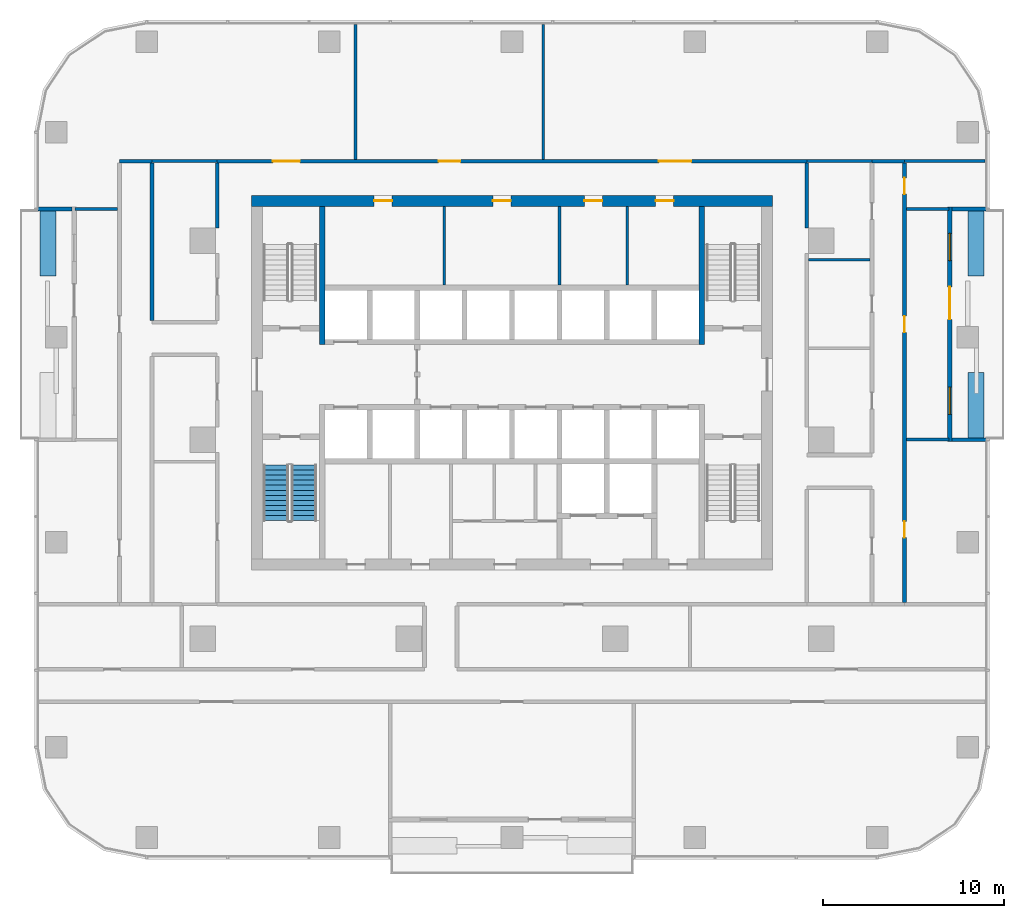
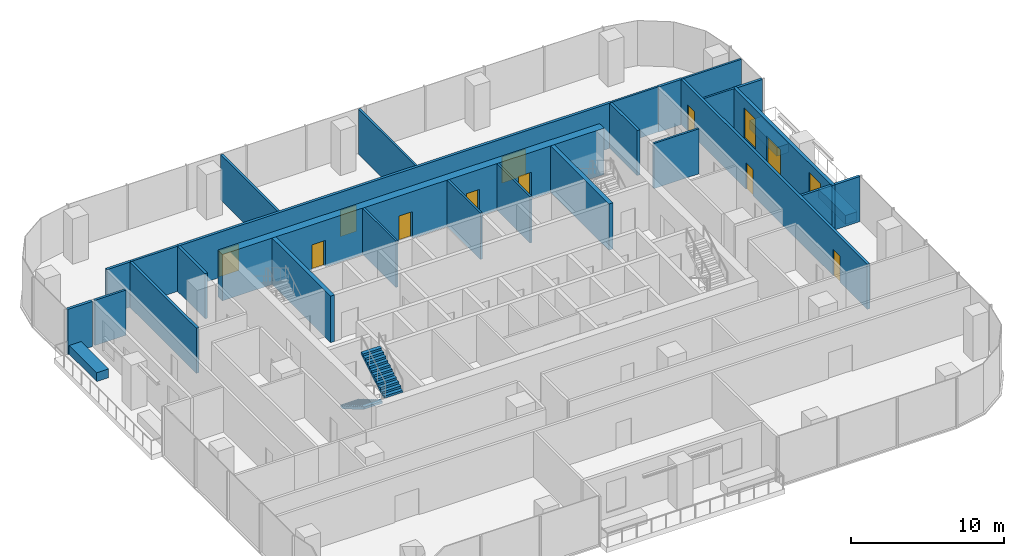
# One storey, part 10 of 15: 29 walls, 11 doors, 2 stair flights, 2 windows, 13 openings, 1 element without a shape of its own.
"""IFC4 building model written with IfcOpenShell, lengths in metres."""

from ifc_helpers import new_model, si_unit, direction, frame, frame_2d, origin, place, context, subcontext, project, spatial, polyline, rectangle, outline, extrude, material, layer, layer_set, type_object, element, fill, aggregate, save


model = new_model("IFC4")

# Units and contexts
model_context = context("Model", 3, precision=1e-05, world=origin(), true_north=direction((0.0, 1.0)))
body_context = subcontext(model_context, "Body", "Model", "MODEL_VIEW")
ifc_project = project(units=[si_unit("LENGTHUNIT", "METRE"), si_unit("AREAUNIT", "SQUARE_METRE"), si_unit("VOLUMEUNIT", "CUBIC_METRE"), si_unit("PLANEANGLEUNIT", "RADIAN"), si_unit("MASSUNIT", "GRAM", prefix="KILO")], contexts=[model_context])

# Site, building, storey
site_placement = place(None, origin())
site = spatial("IfcSite", under=ifc_project, at=site_placement, CompositionType="ELEMENT")
building_placement = place(site_placement, origin())
building = spatial("IfcBuilding", under=site, at=building_placement, Name="Mopane Tessera Tower", CompositionType="ELEMENT")
storey_placement = place(building_placement, frame((0.0, 0.0, 173.0)))
storey = spatial("IfcBuildingStorey", under=building, at=storey_placement, Name="L35", CompositionType="ELEMENT", Elevation=173.0)

# Walls
ifc_material_1 = material(Name="Fire-rated gypsum board partition")
ifc_layer_1 = layer(ifc_material_1, 0.14990234375)
ifc_layer_set_1 = layer_set([ifc_layer_1], Name="Fire-rated gypsum board partition")
wall_type_1 = type_object("IfcWallType", Name="Core room partition 150 mm", PredefinedType="PARTITIONING", material=ifc_layer_set_1)
for number, where, z_axis, x_axis, name in (
    (1, (-3.75, 8.550048828125, 0.0), (0.0, 0.0, 1.0), (0.0, 1.0, 0.0), "L35 Room partition"),
    (2, (2.625, 8.550048828125, 0.0), (0.0, 0.0, 1.0), (0.0, 1.0, 0.0), "L35 Room partition"),
    (3, (6.375, 8.550048828125, 0.0), (0.0, 0.0, 1.0), (0.0, 1.0, 0.0), "L35 Room partition"),
):
    element("IfcWall", number, at=place(storey_placement, frame(where, z_axis=z_axis, x_axis=x_axis)), inside=storey, type_object=wall_type_1, Name=name, PredefinedType="PARTITIONING", context=body_context, shape_type="SweptSolid", body=[
        extrude(rectangle(XDim=4.349853515625, YDim=0.14990234375, at=frame_2d((2.1748046875, 0.0))), origin(), (0.0, 0.0, 1.0), 3.699951171875),
    ])

# Wall, openings, doors
ifc_material_2 = material(Name="Concrete C70/85", Category="concrete")
ifc_layer_2 = layer(ifc_material_2, 0.60009765625)
ifc_layer_set_2 = layer_set([ifc_layer_2], Name="Concrete C70/85")
wall_type_2 = type_object("IfcWallType", Name="Core shear wall 600 mm", PredefinedType="SHEAR", material=ifc_layer_set_2)
wall_1_placement = place(storey_placement, frame((-14.39990234375, 13.199951171875, 0.0), z_axis=(0.0, 0.0, 1.0), x_axis=(1.0, 0.0, 0.0)))
wall_1 = element("IfcWall", 4, at=wall_1_placement, inside=storey, type_object=wall_type_2, Name="L35 Core wall north", PredefinedType="SHEAR", context=body_context, shape_type="SweptSolid", body=[
    extrude(rectangle(XDim=28.7998046875, YDim=0.60009765625, at=frame_2d((14.39990234375, 0.0))), origin(), (0.0, 0.0, 1.0), 3.699951171875),
])
opening_1_placement = place(wall_1_placement, frame((6.77490234375, 0.0, 0.0)))
opening_1 = element("IfcOpeningElement", 5, at=opening_1_placement, cuts=wall_1, Name="Opening RD1", PredefinedType="OPENING", context=body_context, shape_type="SweptSolid", body=[
    extrude(rectangle(XDim=1.0, YDim=2.10009765625, at=frame_2d((0.5, 1.050048828125))), frame((0.0, 0.31201171875, 0.0), z_axis=(0.0, -1.0, 0.0), x_axis=(1.0, 0.0, 0.0)), (0.0, 0.0, 1.0), 0.6240234375),
])
opening_2_placement = place(wall_1_placement, frame((13.33740234375, 0.0, 0.0)))
opening_2 = element("IfcOpeningElement", 6, at=opening_2_placement, cuts=wall_1, Name="Opening RD1", PredefinedType="OPENING", context=body_context, shape_type="SweptSolid", body=[
    extrude(rectangle(XDim=1.0, YDim=2.10009765625, at=frame_2d((0.5, 1.050048828125))), frame((0.0, 0.31201171875, 0.0), z_axis=(0.0, -1.0, 0.0), x_axis=(1.0, 0.0, 0.0)), (0.0, 0.0, 1.0), 0.6240234375),
])
opening_3_placement = place(wall_1_placement, frame((18.39990234375, 0.0, 0.0)))
opening_3 = element("IfcOpeningElement", 7, at=opening_3_placement, cuts=wall_1, Name="Opening RD1", PredefinedType="OPENING", context=body_context, shape_type="SweptSolid", body=[
    extrude(rectangle(XDim=1.0, YDim=2.10009765625, at=frame_2d((0.5, 1.050048828125))), frame((0.0, 0.31201171875, 0.0), z_axis=(0.0, -1.0, 0.0), x_axis=(1.0, 0.0, 0.0)), (0.0, 0.0, 1.0), 0.6240234375),
])
opening_4_placement = place(wall_1_placement, frame((22.33740234375, 0.0, 0.0)))
opening_4 = element("IfcOpeningElement", 8, at=opening_4_placement, cuts=wall_1, Name="Opening RD1", PredefinedType="OPENING", context=body_context, shape_type="SweptSolid", body=[
    extrude(rectangle(XDim=1.0, YDim=2.10009765625, at=frame_2d((0.5, 1.050048828125))), frame((0.0, 0.31201171875, 0.0), z_axis=(0.0, -1.0, 0.0), x_axis=(1.0, 0.0, 0.0)), (0.0, 0.0, 1.0), 0.6240234375),
])
ifc_material_3 = material(Name="Timber door", Category="wood")
door_type_1 = type_object("IfcDoorType", Name="Core room door 1000 x 2100", OperationType="SINGLE_SWING_LEFT", PredefinedType="DOOR", material=ifc_material_3)
door_1_placement = place(opening_1_placement, origin())
door_1 = element("IfcDoor", 9, at=door_1_placement, inside=storey, type_object=door_type_1, Name="L35 Room door", OperationType="SINGLE_SWING_LEFT", OverallHeight=2.10009765625, OverallWidth=1.0, PredefinedType="DOOR", context=body_context, shape_type="SweptSolid", body=[
    extrude(rectangle(XDim=1.0, YDim=2.10009765625, at=frame_2d((0.5, 1.050048828125))), frame((0.0, 0.02490234375, 0.0), z_axis=(0.0, -1.0, 0.0), x_axis=(1.0, 0.0, 0.0)), (0.0, 0.0, 1.0), 0.050048828125),
])
fill(opening_1, door_1)
door_2_placement = place(opening_2_placement, origin())
door_2 = element("IfcDoor", 10, at=door_2_placement, inside=storey, type_object=door_type_1, Name="L35 Room door", OperationType="SINGLE_SWING_LEFT", OverallHeight=2.10009765625, OverallWidth=1.0, PredefinedType="DOOR", context=body_context, shape_type="SweptSolid", body=[
    extrude(rectangle(XDim=1.0, YDim=2.10009765625, at=frame_2d((0.5, 1.050048828125))), frame((0.0, 0.02490234375, 0.0), z_axis=(0.0, -1.0, 0.0), x_axis=(1.0, 0.0, 0.0)), (0.0, 0.0, 1.0), 0.050048828125),
])
fill(opening_2, door_2)
door_3_placement = place(opening_3_placement, origin())
door_3 = element("IfcDoor", 11, at=door_3_placement, inside=storey, type_object=door_type_1, Name="L35 Room door", OperationType="SINGLE_SWING_LEFT", OverallHeight=2.10009765625, OverallWidth=1.0, PredefinedType="DOOR", context=body_context, shape_type="SweptSolid", body=[
    extrude(rectangle(XDim=1.0, YDim=2.10009765625, at=frame_2d((0.5, 1.050048828125))), frame((0.0, 0.02490234375, 0.0), z_axis=(0.0, -1.0, 0.0), x_axis=(1.0, 0.0, 0.0)), (0.0, 0.0, 1.0), 0.050048828125),
])
fill(opening_3, door_3)
door_4_placement = place(opening_4_placement, origin())
door_4 = element("IfcDoor", 12, at=door_4_placement, inside=storey, type_object=door_type_1, Name="L35 Room door", OperationType="SINGLE_SWING_LEFT", OverallHeight=2.10009765625, OverallWidth=1.0, PredefinedType="DOOR", context=body_context, shape_type="SweptSolid", body=[
    extrude(rectangle(XDim=1.0, YDim=2.10009765625, at=frame_2d((0.5, 1.050048828125))), frame((0.0, 0.02490234375, 0.0), z_axis=(0.0, -1.0, 0.0), x_axis=(1.0, 0.0, 0.0)), (0.0, 0.0, 1.0), 0.050048828125),
])
fill(opening_4, door_4)

# Walls
ifc_material_4 = material(Name="Concrete C60/75", Category="concrete")
ifc_layer_3 = layer(ifc_material_4, 0.300048828125)
ifc_layer_set_3 = layer_set([ifc_layer_3], Name="Concrete C60/75")
wall_type_3 = type_object("IfcWallType", Name="Core spine wall 300 mm", PredefinedType="SHEAR", material=ifc_layer_set_3)
for number, where, z_axis, x_axis, name in (
    (13, (-10.5, 5.25, 0.0), (0.0, 0.0, 1.0), (0.0, 1.0, 0.0), "L35 Core spine wall"),
    (14, (10.5, 5.25, 0.0), (0.0, 0.0, 1.0), (0.0, 1.0, 0.0), "L35 Core spine wall"),
):
    element("IfcWall", number, at=place(storey_placement, frame(where, z_axis=z_axis, x_axis=x_axis)), inside=storey, type_object=wall_type_3, Name=name, PredefinedType="SHEAR", context=body_context, shape_type="SweptSolid", body=[
        extrude(rectangle(XDim=7.64990234375, YDim=0.300048828125, at=frame_2d((3.824951171875, 0.0))), origin(), (0.0, 0.0, 1.0), 3.699951171875),
    ])
ifc_material_5 = material(Name="Gypsum board on staggered steel studs, double layer each face, acoustic mineral wool infill", Category="steel")
ifc_layer_4 = layer(ifc_material_5, 0.175048828125)
ifc_layer_set_4 = layer_set([ifc_layer_4], Name="Gypsum board on staggered steel studs, double layer each face, acoustic mineral wool infill")
wall_type_4 = type_object("IfcWallType", Name="Gypsum board acoustic partition 175, rated EI 60", PredefinedType="PARTITIONING", material=ifc_layer_set_4)
for number, where, z_axis, x_axis, name in (
    (15, (21.800048828125, 0.0, 0.0), (0.0, 0.0, 1.0), (1.0, 0.0, 0.0), "Partition L35:016"),
    (16, (-24.14990234375, 12.75, 0.0), (0.0, 0.0, 1.0), (1.0, 0.0, 0.0), "Partition L35:022"),
):
    element("IfcWall", number, at=place(storey_placement, frame(where, z_axis=z_axis, x_axis=x_axis)), inside=storey, type_object=wall_type_4, Name=name, PredefinedType="PARTITIONING", context=body_context, shape_type="SweptSolid", body=[
        extrude(rectangle(XDim=2.349853515625, YDim=0.175048828125, at=frame_2d((1.1748046875, 0.0))), origin(), (0.0, 0.0, 1.0), 3.60009765625),
    ])
wall_2_placement = place(storey_placement, frame((-19.89990234375, 15.39990234375, 0.0), z_axis=(0.0, 0.0, 1.0), x_axis=(1.0, 0.0, 0.0)))
element("IfcWall", 17, at=wall_2_placement, inside=storey, type_object=wall_type_4, Name="Partition L35:025", PredefinedType="PARTITIONING", context=body_context, shape_type="SweptSolid", body=[
    extrude(rectangle(XDim=3.599853515625, YDim=0.175048828125, at=frame_2d((1.7998046875, 0.0))), origin(), (0.0, 0.0, 1.0), 3.60009765625),
])
wall_3_placement = place(storey_placement, frame((-8.64990234375, 15.5, 0.0), z_axis=(0.0, 0.0, 1.0), x_axis=(0.0, 1.0, 0.0)))
element("IfcWall", 18, at=wall_3_placement, inside=storey, type_object=wall_type_4, Name="Partition L35:037", PredefinedType="PARTITIONING", context=body_context, shape_type="SweptSolid", body=[
    extrude(rectangle(XDim=7.449951171875, YDim=0.175048828125, at=frame_2d((3.72509765625, 0.0))), origin(), (0.0, 0.0, 1.0), 3.60009765625),
])
ifc_material_6 = material(Name="Gypsum board on steel studs, two layers each face, mineral wool infill", Category="steel")
ifc_layer_5 = layer(ifc_material_6, 0.199951171875)
ifc_layer_set_5 = layer_set([ifc_layer_5], Name="Gypsum board on steel studs, two layers each face, mineral wool infill")
wall_type_5 = type_object("IfcWallType", Name="Gypsum board corridor wall 200, rated EI 60", PredefinedType="PARTITIONING", material=ifc_layer_set_5)
wall_4_placement = place(storey_placement, frame((-21.699951171875, 15.39990234375, 0.0), z_axis=(0.0, 0.0, 1.0), x_axis=(1.0, 0.0, 0.0)))
element("IfcWall", 19, at=wall_4_placement, inside=storey, type_object=wall_type_5, Name="Partition L35:026", PredefinedType="PARTITIONING", context=body_context, shape_type="SweptSolid", body=[
    extrude(rectangle(XDim=1.800048828125, YDim=0.199951171875, at=frame_2d((0.89990234375, 0.0))), origin(), (0.0, 0.0, 1.0), 3.60009765625),
])

# Wall, openings, doors
wall_5_placement = place(storey_placement, frame((-16.300048828125, 15.39990234375, 0.0), z_axis=(0.0, 0.0, 1.0), x_axis=(1.0, 0.0, 0.0)))
wall_5 = element("IfcWall", 20, at=wall_5_placement, inside=storey, type_object=wall_type_5, Name="Partition L35:027", PredefinedType="PARTITIONING", context=body_context, shape_type="SweptSolid", body=[
    extrude(rectangle(XDim=32.60009765625, YDim=0.199951171875, at=frame_2d((16.300048828125, 0.0))), origin(), (0.0, 0.0, 1.0), 3.60009765625),
])
opening_5_placement = place(wall_5_placement, frame((24.4150390625, 0.0, 0.0)))
opening_5 = element("IfcOpeningElement", 21, at=opening_5_placement, cuts=wall_5, Name="Opening L35-15", PredefinedType="OPENING", context=body_context, shape_type="SweptSolid", body=[
    extrude(rectangle(XDim=1.800048828125, YDim=2.10009765625, at=frame_2d((0.89990234375, 1.050048828125))), frame((0.0, 0.112060546875, 0.0), z_axis=(0.0, -1.0, 0.0), x_axis=(1.0, 0.0, 0.0)), (0.0, 0.0, 1.0), 0.223876953125),
])
opening_6_placement = place(wall_5_placement, frame((12.239990234375, 0.0, 0.0)))
opening_6 = element("IfcOpeningElement", 22, at=opening_6_placement, cuts=wall_5, Name="Opening L35-20", PredefinedType="OPENING", context=body_context, shape_type="SweptSolid", body=[
    extrude(rectangle(XDim=1.199951171875, YDim=2.10009765625, at=frame_2d((0.60009765625, 1.050048828125))), frame((0.0, 0.112060546875, 0.0), z_axis=(0.0, -1.0, 0.0), x_axis=(1.0, 0.0, 0.0)), (0.0, 0.0, 1.0), 0.223876953125),
])
opening_7_placement = place(wall_5_placement, frame((3.074951171875, 0.0, 0.0)))
opening_7 = element("IfcOpeningElement", 23, at=opening_7_placement, cuts=wall_5, Name="Opening L35-21", PredefinedType="OPENING", context=body_context, shape_type="SweptSolid", body=[
    extrude(rectangle(XDim=1.5, YDim=2.10009765625, at=frame_2d((0.75, 1.050048828125))), frame((0.0, 0.112060546875, 0.0), z_axis=(0.0, -1.0, 0.0), x_axis=(1.0, 0.0, 0.0)), (0.0, 0.0, 1.0), 0.223876953125),
])
ifc_material_7 = material(Name="Timber veneered steel-framed fire door", Category="steel")
door_type_2 = type_object("IfcDoorType", Name="Fire door FD60 1200 x 2100", OperationType="SINGLE_SWING_LEFT", PredefinedType="DOOR", material=ifc_material_7)
door_5_placement = place(opening_6_placement, origin())
door_5 = element("IfcDoor", 24, at=door_5_placement, inside=storey, type_object=door_type_2, Name="Door L35-20", ObjectType="D15A", OperationType="SINGLE_SWING_LEFT", OverallHeight=2.10009765625, OverallWidth=1.199951171875, PredefinedType="DOOR", context=body_context, shape_type="SweptSolid", body=[
    extrude(rectangle(XDim=1.199951171875, YDim=2.10009765625, at=frame_2d((0.60009765625, 1.050048828125))), frame((0.0, 0.02490234375, 0.0), z_axis=(0.0, -1.0, 0.0), x_axis=(1.0, 0.0, 0.0)), (0.0, 0.0, 1.0), 0.050048828125),
])
fill(opening_6, door_5)
ifc_material_8 = material(Name="Timber veneered steel-framed fire door", Category="steel")
door_type_3 = type_object("IfcDoorType", Name="Fire door pair FD60 1500 x 2100", OperationType="DOUBLE_DOOR_SINGLE_SWING", PredefinedType="DOOR", material=ifc_material_8)
door_6_placement = place(opening_7_placement, origin())
door_6 = element("IfcDoor", 25, at=door_6_placement, inside=storey, type_object=door_type_3, Name="Door L35-21", ObjectType="D17A", OperationType="DOUBLE_DOOR_SINGLE_SWING", OverallHeight=2.10009765625, OverallWidth=1.5, PredefinedType="DOOR", context=body_context, shape_type="SweptSolid", body=[
    extrude(rectangle(XDim=1.5, YDim=2.10009765625, at=frame_2d((0.75, 1.050048828125))), frame((0.0, 0.02490234375, 0.0), z_axis=(0.0, -1.0, 0.0), x_axis=(1.0, 0.0, 0.0)), (0.0, 0.0, 1.0), 0.050048828125),
])
fill(opening_7, door_6)
ifc_material_9 = material(Name="Timber veneered steel-framed fire door", Category="steel")
door_type_4 = type_object("IfcDoorType", Name="Fire door pair FD60 1800 x 2100", OperationType="DOUBLE_DOOR_SINGLE_SWING", PredefinedType="DOOR", material=ifc_material_9)
door_7_placement = place(opening_5_placement, origin())
door_7 = element("IfcDoor", 26, at=door_7_placement, inside=storey, type_object=door_type_4, Name="Door L35-15", ObjectType="D20A", OperationType="DOUBLE_DOOR_SINGLE_SWING", OverallHeight=2.10009765625, OverallWidth=1.800048828125, PredefinedType="DOOR", context=body_context, shape_type="SweptSolid", body=[
    extrude(rectangle(XDim=1.800048828125, YDim=2.10009765625, at=frame_2d((0.89990234375, 1.050048828125))), frame((0.0, 0.02490234375, 0.0), z_axis=(0.0, -1.0, 0.0), x_axis=(1.0, 0.0, 0.0)), (0.0, 0.0, 1.0), 0.050048828125),
])
fill(opening_5, door_7)

# Walls
wall_6_placement = place(storey_placement, frame((19.89990234375, 15.39990234375, 0.0), z_axis=(0.0, 0.0, 1.0), x_axis=(1.0, 0.0, 0.0)))
element("IfcWall", 27, at=wall_6_placement, inside=storey, type_object=wall_type_5, Name="Partition L35:028", PredefinedType="PARTITIONING", context=body_context, shape_type="SweptSolid", body=[
    extrude(rectangle(XDim=1.800048828125, YDim=0.199951171875, at=frame_2d((0.89990234375, 0.0))), origin(), (0.0, 0.0, 1.0), 3.60009765625),
])
wall_7_placement = place(storey_placement, frame((-19.89990234375, 6.60009765625, 0.0), z_axis=(0.0, 0.0, 1.0), x_axis=(0.0, 1.0, 0.0)))
element("IfcWall", 28, at=wall_7_placement, inside=storey, type_object=wall_type_5, Name="Partition L35:031", PredefinedType="PARTITIONING", context=body_context, shape_type="SweptSolid", body=[
    extrude(rectangle(XDim=8.699951171875, YDim=0.199951171875, at=frame_2d((4.35009765625, 0.0))), origin(), (0.0, 0.0, 1.0), 3.60009765625),
])
for number, where, z_axis, x_axis, name in (
    (29, (-16.300048828125, 11.699951171875, 0.0), (0.0, 0.0, 1.0), (0.0, 1.0, 0.0), "Partition L35:036"),
    (30, (16.300048828125, 11.699951171875, 0.0), (0.0, 0.0, 1.0), (0.0, 1.0, 0.0), "Partition L35:046"),
):
    element("IfcWall", number, at=place(storey_placement, frame(where, z_axis=z_axis, x_axis=x_axis)), inside=storey, type_object=wall_type_5, Name=name, PredefinedType="PARTITIONING", context=body_context, shape_type="SweptSolid", body=[
        extrude(rectangle(XDim=3.60009765625, YDim=0.199951171875, at=frame_2d((1.800048828125, 0.0))), origin(), (0.0, 0.0, 1.0), 3.60009765625),
    ])

# Wall, openings, doors
wall_8_placement = place(storey_placement, frame((21.699951171875, -9.0, 0.0), z_axis=(0.0, 0.0, 1.0), x_axis=(0.0, 1.0, 0.0)))
wall_8 = element("IfcWall", 31, at=wall_8_placement, inside=storey, type_object=wall_type_5, Name="Partition L35:049", PredefinedType="PARTITIONING", context=body_context, shape_type="SweptSolid", body=[
    extrude(rectangle(XDim=24.300048828125, YDim=0.199951171875, at=frame_2d((12.14990234375, 0.0))), origin(), (0.0, 0.0, 1.0), 3.60009765625),
])
opening_8_placement = place(wall_8_placement, frame((3.58251953125, 0.0, 0.0)))
opening_8 = element("IfcOpeningElement", 32, at=opening_8_placement, cuts=wall_8, Name="Opening L35-02", PredefinedType="OPENING", context=body_context, shape_type="SweptSolid", body=[
    extrude(rectangle(XDim=0.89990234375, YDim=2.10009765625, at=frame_2d((0.449951171875, 1.050048828125))), frame((0.0, 0.112060546875, 0.0), z_axis=(0.0, -1.0, 0.0), x_axis=(1.0, 0.0, 0.0)), (0.0, 0.0, 1.0), 0.223876953125),
])
opening_9_placement = place(wall_8_placement, frame((22.574951171875, 0.0, 0.0)))
opening_9 = element("IfcOpeningElement", 33, at=opening_9_placement, cuts=wall_8, Name="Opening L35-03", PredefinedType="OPENING", context=body_context, shape_type="SweptSolid", body=[
    extrude(rectangle(XDim=0.89990234375, YDim=2.10009765625, at=frame_2d((0.449951171875, 1.050048828125))), frame((0.0, 0.112060546875, 0.0), z_axis=(0.0, -1.0, 0.0), x_axis=(1.0, 0.0, 0.0)), (0.0, 0.0, 1.0), 0.223876953125),
])
opening_10_placement = place(wall_8_placement, frame((14.925048828125, 0.0, 0.0)))
opening_10 = element("IfcOpeningElement", 34, at=opening_10_placement, cuts=wall_8, Name="Opening L35-09", PredefinedType="OPENING", context=body_context, shape_type="SweptSolid", body=[
    extrude(rectangle(XDim=0.89990234375, YDim=2.10009765625, at=frame_2d((0.449951171875, 1.050048828125))), frame((0.0, 0.112060546875, 0.0), z_axis=(0.0, -1.0, 0.0), x_axis=(1.0, 0.0, 0.0)), (0.0, 0.0, 1.0), 0.223876953125),
])
ifc_material_10 = material(Name="Timber veneered steel-framed fire door", Category="steel")
door_type_5 = type_object("IfcDoorType", Name="Fire door FD60 900 x 2100", OperationType="SINGLE_SWING_LEFT", PredefinedType="DOOR", material=ifc_material_10)
door_8_placement = place(opening_8_placement, origin())
door_8 = element("IfcDoor", 35, at=door_8_placement, inside=storey, type_object=door_type_5, Name="Door L35-02", ObjectType="D10A", OperationType="SINGLE_SWING_RIGHT", OverallHeight=2.10009765625, OverallWidth=0.89990234375, PredefinedType="DOOR", context=body_context, shape_type="SweptSolid", body=[
    extrude(rectangle(XDim=0.89990234375, YDim=2.10009765625, at=frame_2d((0.449951171875, 1.050048828125))), frame((0.0, 0.02490234375, 0.0), z_axis=(0.0, -1.0, 0.0), x_axis=(1.0, 0.0, 0.0)), (0.0, 0.0, 1.0), 0.050048828125),
])
fill(opening_8, door_8)
door_9_placement = place(opening_9_placement, origin())
door_9 = element("IfcDoor", 36, at=door_9_placement, inside=storey, type_object=door_type_5, Name="Door L35-03", ObjectType="D10A", OperationType="SINGLE_SWING_LEFT", OverallHeight=2.10009765625, OverallWidth=0.89990234375, PredefinedType="DOOR", context=body_context, shape_type="SweptSolid", body=[
    extrude(rectangle(XDim=0.89990234375, YDim=2.10009765625, at=frame_2d((0.449951171875, 1.050048828125))), frame((0.0, 0.02490234375, 0.0), z_axis=(0.0, -1.0, 0.0), x_axis=(1.0, 0.0, 0.0)), (0.0, 0.0, 1.0), 0.050048828125),
])
fill(opening_9, door_9)
door_10_placement = place(opening_10_placement, origin())
door_10 = element("IfcDoor", 37, at=door_10_placement, inside=storey, type_object=door_type_5, Name="Door L35-09", ObjectType="D10A", OperationType="SINGLE_SWING_LEFT", OverallHeight=2.10009765625, OverallWidth=0.89990234375, PredefinedType="DOOR", context=body_context, shape_type="SweptSolid", body=[
    extrude(rectangle(XDim=0.89990234375, YDim=2.10009765625, at=frame_2d((0.449951171875, 1.050048828125))), frame((0.0, 0.02490234375, 0.0), z_axis=(0.0, -1.0, 0.0), x_axis=(1.0, 0.0, 0.0)), (0.0, 0.0, 1.0), 0.050048828125),
])
fill(opening_10, door_10)

# Walls
ifc_material_11 = material(Name="Gypsum board on steel studs, mineral wool infill", Category="steel")
ifc_layer_6 = layer(ifc_material_11, 0.14990234375)
ifc_layer_set_6 = layer_set([ifc_layer_6], Name="Gypsum board on steel studs, mineral wool infill")
wall_type_6 = type_object("IfcWallType", Name="Gypsum board partition 150, rated EI 60", PredefinedType="PARTITIONING", material=ifc_layer_set_6)
wall_9_placement = place(storey_placement, frame((16.39990234375, 9.945068359375, 0.0), z_axis=(0.0, 0.0, 1.0), x_axis=(1.0, 0.0, 0.0)))
element("IfcWall", 38, at=wall_9_placement, inside=storey, type_object=wall_type_6, Name="Partition L35:020", PredefinedType="PARTITIONING", context=body_context, shape_type="SweptSolid", body=[
    extrude(rectangle(XDim=3.400146484375, YDim=0.14990234375, at=frame_2d((1.7001953125, 0.0))), origin(), (0.0, 0.0, 1.0), 3.60009765625),
])
wall_10_placement = place(storey_placement, frame((21.800048828125, 12.75, 0.0), z_axis=(0.0, 0.0, 1.0), x_axis=(1.0, 0.0, 0.0)))
element("IfcWall", 39, at=wall_10_placement, inside=storey, type_object=wall_type_6, Name="Partition L35:021", PredefinedType="PARTITIONING", context=body_context, shape_type="SweptSolid", body=[
    extrude(rectangle(XDim=2.349853515625, YDim=0.14990234375, at=frame_2d((1.1748046875, 0.0))), origin(), (0.0, 0.0, 1.0), 3.60009765625),
])
wall_11_placement = place(storey_placement, frame((16.300048828125, 15.39990234375, 0.0), z_axis=(0.0, 0.0, 1.0), x_axis=(1.0, 0.0, 0.0)))
element("IfcWall", 40, at=wall_11_placement, inside=storey, type_object=wall_type_6, Name="Partition L35:023", PredefinedType="PARTITIONING", context=body_context, shape_type="SweptSolid", body=[
    extrude(rectangle(XDim=3.599853515625, YDim=0.14990234375, at=frame_2d((1.7998046875, 0.0))), origin(), (0.0, 0.0, 1.0), 3.60009765625),
])
wall_12_placement = place(storey_placement, frame((21.699951171875, 15.39990234375, 0.0), z_axis=(0.0, 0.0, 1.0), x_axis=(1.0, 0.0, 0.0)))
element("IfcWall", 41, at=wall_12_placement, inside=storey, type_object=wall_type_6, Name="Partition L35:024", PredefinedType="PARTITIONING", context=body_context, shape_type="SweptSolid", body=[
    extrude(rectangle(XDim=4.449951171875, YDim=0.14990234375, at=frame_2d((2.22509765625, 0.0))), origin(), (0.0, 0.0, 1.0), 3.60009765625),
])
wall_13_placement = place(storey_placement, frame((1.72998046875, 15.5, 0.0), z_axis=(0.0, 0.0, 1.0), x_axis=(0.0, 1.0, 0.0)))
element("IfcWall", 42, at=wall_13_placement, inside=storey, type_object=wall_type_6, Name="Partition L35:041", PredefinedType="PARTITIONING", context=body_context, shape_type="SweptSolid", body=[
    extrude(rectangle(XDim=7.449951171875, YDim=0.14990234375, at=frame_2d((3.72509765625, 0.0))), origin(), (0.0, 0.0, 1.0), 3.60009765625),
])
ifc_material_12 = material(Name="Reinforced concrete C32/40 with waterproofing", Category="concrete")
ifc_layer_7 = layer(ifc_material_12, 0.89990234375)
ifc_layer_set_7 = layer_set([ifc_layer_7], Name="Reinforced concrete C32/40 with waterproofing")
wall_type_7 = type_object("IfcWallType", Name="Planter trough 3600 x 900", PredefinedType="STANDARD", material=ifc_layer_set_7)
for number, where, z_axis, x_axis, name in (
    (43, (-25.64990234375, 12.64990234375, 0.0), (0.0, 0.0, 1.0), (0.0, -1.0, 0.0), "e:nw:L35:N1:pl0"),
    (44, (25.64990234375, 0.10009765625, 0.0), (0.0, 0.0, 1.0), (0.0, 1.0, 0.0), "e:nw:L35:N3:pl0"),
    (45, (25.64990234375, 9.050048828125, 0.0), (0.0, 0.0, 1.0), (0.0, 1.0, 0.0), "e:nw:L35:N3:pl1"),
):
    element("IfcWall", number, at=place(storey_placement, frame(where, z_axis=z_axis, x_axis=x_axis)), inside=storey, type_object=wall_type_7, Name=name, PredefinedType="STANDARD", context=body_context, shape_type="SweptSolid", body=[
        extrude(rectangle(XDim=3.599853515625, YDim=0.89990234375, at=frame_2d((1.7998046875, 0.0))), origin(), (0.0, 0.0, 1.0), 0.699951171875),
    ])
ifc_material_13 = material(Name="Blockwork with glazed tile facing", Category="masonry")
ifc_layer_8 = layer(ifc_material_13, 0.199951171875)
ifc_layer_set_8 = layer_set([ifc_layer_8], Name="Blockwork with glazed tile facing")
wall_type_8 = type_object("IfcWallType", Name="Terrace cheek wall 200", PredefinedType="STANDARD", material=ifc_layer_set_8)
for number, where, z_axis, x_axis, name in (
    (46, (-26.199951171875, 12.75, 0.0), (0.0, 0.0, 1.0), (1.0, 0.0, 0.0), "e:nw:L35:N1:cheeka"),
    (47, (26.199951171875, 0.0, 0.0), (0.0, 0.0, 1.0), (-1.0, 0.0, 0.0), "e:nw:L35:N3:cheeka"),
    (48, (26.199951171875, 12.75, 0.0), (0.0, 0.0, 1.0), (-1.0, 0.0, 0.0), "e:nw:L35:N3:cheekb"),
):
    element("IfcWall", number, at=place(storey_placement, frame(where, z_axis=z_axis, x_axis=x_axis)), inside=storey, type_object=wall_type_8, Name=name, PredefinedType="STANDARD", context=body_context, shape_type="SweptSolid", body=[
        extrude(rectangle(XDim=1.875, YDim=0.199951171875, at=frame_2d((0.9375, 0.0))), origin(), (0.0, 0.0, 1.0), 3.60009765625),
    ])

# Wall, openings, windows, door
ifc_material_14 = material(Name="Blockwork with ochre glazed tile facing", Category="masonry")
ifc_layer_9 = layer(ifc_material_14, 0.25)
ifc_layer_set_9 = layer_set([ifc_layer_9], Name="Blockwork with ochre glazed tile facing")
wall_type_9 = type_object("IfcWallType", Name="Tile-clad external wall 250, ochre", PredefinedType="STANDARD", material=ifc_layer_set_9)
wall_14_placement = place(storey_placement, frame((24.199951171875, -0.10009765625, 0.0), z_axis=(0.0, 0.0, 1.0), x_axis=(0.0, 1.0, 0.0)))
wall_14 = element("IfcWall", 49, at=wall_14_placement, inside=storey, type_object=wall_type_9, Name="e:nw:L35:N3:back", PredefinedType="STANDARD", context=body_context, shape_type="SweptSolid", body=[
    extrude(rectangle(XDim=12.9501953125, YDim=0.25, at=frame_2d((6.47509765625, 0.0))), origin(), (0.0, 0.0, 1.0), 3.60009765625),
])
opening_11_placement = place(wall_14_placement, frame((1.5, 0.0, 0.449951171875)))
opening_11 = element("IfcOpeningElement", 50, at=opening_11_placement, cuts=wall_14, Name="Opening NW353A", PredefinedType="OPENING", context=body_context, shape_type="SweptSolid", body=[
    extrude(rectangle(XDim=1.5, YDim=2.39990234375, at=frame_2d((0.75, 1.199951171875))), frame((0.0, 0.136962890625, 0.0), z_axis=(0.0, -1.0, 0.0), x_axis=(1.0, 0.0, 0.0)), (0.0, 0.0, 1.0), 0.27392578125),
])
opening_12_placement = place(wall_14_placement, frame((6.75, 0.0, 0.0)))
opening_12 = element("IfcOpeningElement", 51, at=opening_12_placement, cuts=wall_14, Name="Opening ND353", PredefinedType="OPENING", context=body_context, shape_type="SweptSolid", body=[
    extrude(rectangle(XDim=1.800048828125, YDim=2.39990234375, at=frame_2d((0.89990234375, 1.199951171875))), frame((0.0, 0.136962890625, 0.0), z_axis=(0.0, -1.0, 0.0), x_axis=(1.0, 0.0, 0.0)), (0.0, 0.0, 1.0), 0.27392578125),
])
opening_13_placement = place(wall_14_placement, frame((10.0, 0.0, 0.449951171875)))
opening_13 = element("IfcOpeningElement", 52, at=opening_13_placement, cuts=wall_14, Name="Opening NW353B", PredefinedType="OPENING", context=body_context, shape_type="SweptSolid", body=[
    extrude(rectangle(XDim=1.5, YDim=2.39990234375, at=frame_2d((0.75, 1.199951171875))), frame((0.0, 0.136962890625, 0.0), z_axis=(0.0, -1.0, 0.0), x_axis=(1.0, 0.0, 0.0)), (0.0, 0.0, 1.0), 0.27392578125),
])
ifc_material_15 = material(Name="Clear laminated glass", Category="glass")
window_type = type_object("IfcWindowType", Name="Fixed window 1500 x 2400", PartitioningType="SINGLE_PANEL", PredefinedType="WINDOW", material=ifc_material_15)
window_1_placement = place(opening_11_placement, origin())
window_1 = element("IfcWindow", 53, at=window_1_placement, inside=storey, type_object=window_type, Name="e:nw:L35:N3:win0", OverallHeight=2.39990234375, OverallWidth=1.5, PartitioningType="SINGLE_PANEL", PredefinedType="WINDOW", context=body_context, shape_type="SweptSolid", body=[
    extrude(rectangle(XDim=1.5, YDim=2.39990234375, at=frame_2d((0.75, 1.199951171875))), frame((0.0, 0.030029296875, 0.0), z_axis=(0.0, -1.0, 0.0), x_axis=(1.0, 0.0, 0.0)), (0.0, 0.0, 1.0), 0.06005859375),
])
fill(opening_11, window_1)
window_2_placement = place(opening_13_placement, origin())
window_2 = element("IfcWindow", 54, at=window_2_placement, inside=storey, type_object=window_type, Name="e:nw:L35:N3:win2", OverallHeight=2.39990234375, OverallWidth=1.5, PartitioningType="SINGLE_PANEL", PredefinedType="WINDOW", context=body_context, shape_type="SweptSolid", body=[
    extrude(rectangle(XDim=1.5, YDim=2.39990234375, at=frame_2d((0.75, 1.199951171875))), frame((0.0, 0.030029296875, 0.0), z_axis=(0.0, -1.0, 0.0), x_axis=(1.0, 0.0, 0.0)), (0.0, 0.0, 1.0), 0.06005859375),
])
fill(opening_13, window_2)
ifc_material_16 = material(Name="Aluminium and clear glass", Category="aluminium")
door_type_6 = type_object("IfcDoorType", Name="Terrace double door 1800 x 2400", OperationType="DOUBLE_DOOR_SINGLE_SWING", PredefinedType="DOOR", material=ifc_material_16)
door_11_placement = place(opening_12_placement, origin())
door_11 = element("IfcDoor", 55, at=door_11_placement, inside=storey, type_object=door_type_6, Name="e:nw:L35:N3:door", ObjectType="D1", OperationType="DOUBLE_DOOR_SINGLE_SWING", OverallHeight=2.39990234375, OverallWidth=1.800048828125, PredefinedType="DOOR", context=body_context, shape_type="SweptSolid", body=[
    extrude(rectangle(XDim=1.800048828125, YDim=2.39990234375, at=frame_2d((0.89990234375, 1.199951171875))), frame((0.0, 0.02490234375, 0.0), z_axis=(0.0, -1.0, 0.0), x_axis=(1.0, 0.0, 0.0)), (0.0, 0.0, 1.0), 0.050048828125),
])
fill(opening_12, door_11)

# Stair, stair flights
ifc_material_17 = material(Name="Concrete C50/60", Category="concrete")
stair_type = type_object("IfcStairType", Name="Escape stair 1400 mm, riser 167 mm", PredefinedType="HALF_TURN_STAIR", material=ifc_material_17)
stair_placement = place(storey_placement, origin())
stair = element("IfcStair", 56, at=stair_placement, inside=storey, type_object=stair_type, Name="L35 Escape stair south-west", PredefinedType="HALF_TURN_STAIR")
ifc_material_18 = material(Name="Concrete C50/60", Category="concrete")
stair_flight_type = type_object("IfcStairFlightType", Name="Escape stair flight 1400 mm", PredefinedType="STRAIGHT", material=ifc_material_18)
stair_flight_1_placement = place(storey_placement, frame((-13.050048828125, -1.39990234375, 0.0), z_axis=(0.0, 0.0, 1.0), x_axis=(0.0, -1.0, 0.0)))
stair_flight_1 = element("IfcStairFlight", 57, at=stair_flight_1_placement, type_object=stair_flight_type, Name="ST1 flight 1", NumberOfRisers=12, NumberOfTreads=11, PredefinedType="STRAIGHT", RiserHeight=0.166666667, TreadLength=0.28, context=body_context, shape_type="SweptSolid", body=[
    extrude(outline(polyline([(0.0, 0.0), (0.0, 0.166748046875), (0.280029296875, 0.166748046875), (0.280029296875, 0.333251953125), (0.56005859375, 0.333251953125), (0.56005859375, 0.5), (0.840087890625, 0.5), (0.840087890625, 0.666748046875), (1.1201171875, 0.666748046875), (1.1201171875, 0.833251953125), (1.39990234375, 0.833251953125), (1.39990234375, 1.0), (1.679931640625, 1.0), (1.679931640625, 1.166748046875), (1.9599609375, 1.166748046875), (1.9599609375, 1.333251953125), (2.239990234375, 1.333251953125), (2.239990234375, 1.5), (2.52001953125, 1.5), (2.52001953125, 1.666748046875), (2.800048828125, 1.666748046875), (2.800048828125, 1.833251953125), (3.080078125, 1.833251953125), (3.080078125, 2.0), (3.080078125, 1.658935546875), (0.29296875, 0.0), (0.0, 0.0)])), frame((0.0, 0.699951171875, 0.0), z_axis=(0.0, -1.0, 0.0), x_axis=(1.0, 0.0, 0.0)), (0.0, 0.0, 1.0), 1.39990234375),
])
stair_flight_2_placement = place(storey_placement, frame((-11.5, -4.47998046875, 2.0), z_axis=(0.0, 0.0, 1.0), x_axis=(0.0, 1.0, 0.0)))
stair_flight_2 = element("IfcStairFlight", 58, at=stair_flight_2_placement, type_object=stair_flight_type, Name="ST1 flight 2", NumberOfRisers=12, NumberOfTreads=11, PredefinedType="STRAIGHT", RiserHeight=0.166666667, TreadLength=0.28, context=body_context, shape_type="SweptSolid", body=[
    extrude(outline(polyline([(0.0, 0.0), (0.0, 0.166748046875), (0.280029296875, 0.166748046875), (0.280029296875, 0.333251953125), (0.56005859375, 0.333251953125), (0.56005859375, 0.5), (0.840087890625, 0.5), (0.840087890625, 0.666748046875), (1.1201171875, 0.666748046875), (1.1201171875, 0.833251953125), (1.39990234375, 0.833251953125), (1.39990234375, 1.0), (1.679931640625, 1.0), (1.679931640625, 1.166748046875), (1.9599609375, 1.166748046875), (1.9599609375, 1.333251953125), (2.239990234375, 1.333251953125), (2.239990234375, 1.5), (2.52001953125, 1.5), (2.52001953125, 1.666748046875), (2.800048828125, 1.666748046875), (2.800048828125, 1.833251953125), (3.080078125, 1.833251953125), (3.080078125, 2.0), (3.080078125, 1.658935546875), (0.29296875, 0.0), (0.0, 0.0)])), frame((0.0, 0.699951171875, 0.0), z_axis=(0.0, -1.0, 0.0), x_axis=(1.0, 0.0, 0.0)), (0.0, 0.0, 1.0), 1.39990234375),
])
aggregate(stair, [stair_flight_1, stair_flight_2])

save(model, "model.ifc")
